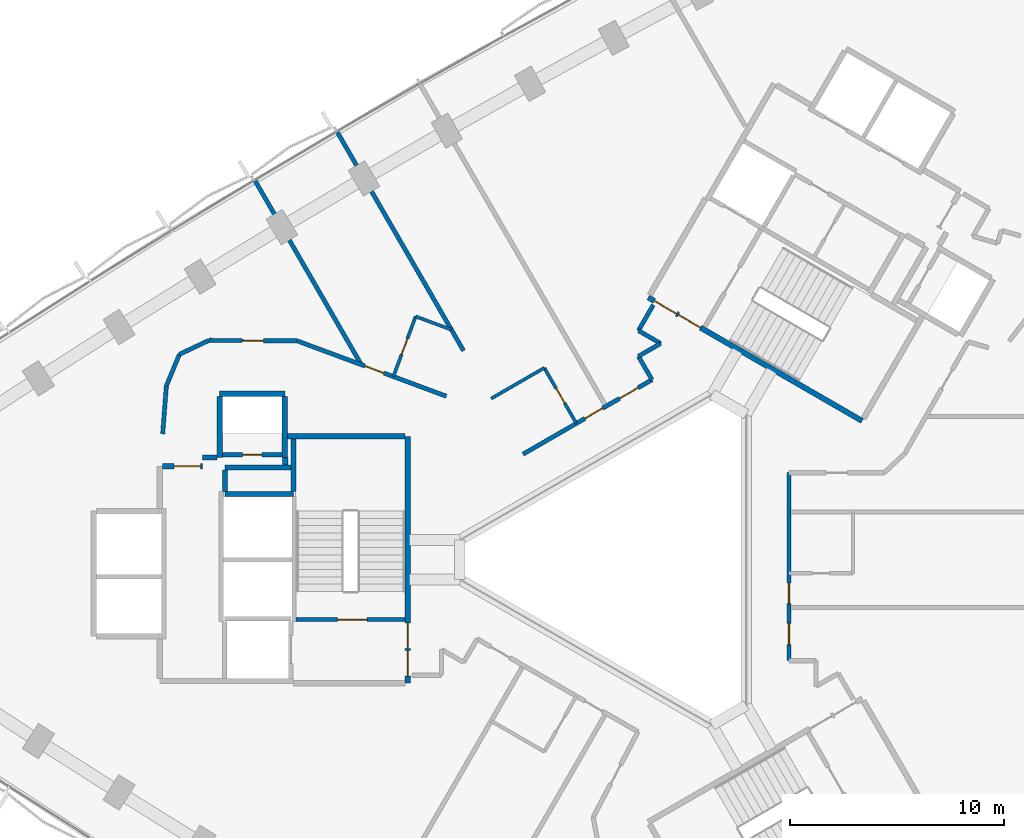
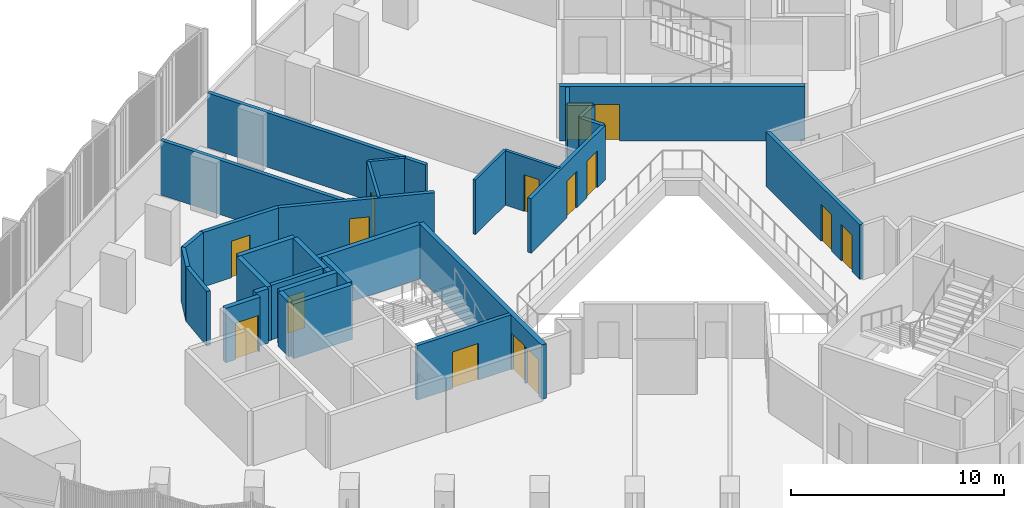
# One storey, part 11 of 16: 32 walls, 15 doors, 15 openings.
"""IFC4 building model written with IfcOpenShell, lengths in metres."""

from ifc_helpers import new_model, si_unit, direction, frame, frame_2d, origin, place, context, subcontext, project, spatial, rectangle, extrude, material, layer, layer_set, type_object, element, fill, save


model = new_model("IFC4")

# Units and contexts
model_context = context("Model", 3, precision=1e-05, world=origin(), true_north=direction((0.0, 1.0)))
body_context = subcontext(model_context, "Body", "Model", "MODEL_VIEW")
ifc_project = project(units=[si_unit("LENGTHUNIT", "METRE"), si_unit("AREAUNIT", "SQUARE_METRE"), si_unit("VOLUMEUNIT", "CUBIC_METRE"), si_unit("PLANEANGLEUNIT", "RADIAN"), si_unit("MASSUNIT", "GRAM", prefix="KILO")], contexts=[model_context])

# Site, building, storey
site_placement = place(None, origin())
site = spatial("IfcSite", under=ifc_project, at=site_placement, CompositionType="ELEMENT")
building_placement = place(site_placement, origin())
building = spatial("IfcBuilding", under=site, at=building_placement, Name="Tamra Quay Hotel Tower", CompositionType="ELEMENT")
storey_placement = place(building_placement, frame((0.0, 0.0, 56.60009765625)))
storey = spatial("IfcBuildingStorey", under=building, at=storey_placement, Name="L12", CompositionType="ELEMENT", Elevation=56.60009765625)

# Wall, opening, door
ifc_material_1 = material(Name="Concrete M70", Category="concrete")
ifc_layer_1 = layer(ifc_material_1, 0.199951171875)
ifc_layer_set_1 = layer_set([ifc_layer_1], Name="Concrete M70 core wall 200")
wall_type_1 = type_object("IfcWallType", Name="Concrete M70 core wall 200", PredefinedType="SHEAR", material=ifc_layer_set_1)
wall_1_placement = place(storey_placement, frame((-10.96337890625, -2.800048828125, 0.0), z_axis=(0.0, 0.0, 1.0), x_axis=(-1.0, 0.0, 0.0)))
wall_1 = element("IfcWall", 1, at=wall_1_placement, inside=storey, type_object=wall_type_1, Name="CW2", PredefinedType="SHEAR", context=body_context, shape_type="SweptSolid", body=[
    extrude(rectangle(XDim=5.097900390625, YDim=0.199951171875, at=frame_2d((2.548828125, 0.0))), origin(), (0.0, 0.0, 1.0), 3.125),
])
opening_1_placement = place(wall_1_placement, frame((1.77392578125, 0.0, 0.0)))
opening_1 = element("IfcOpeningElement", 2, at=opening_1_placement, cuts=wall_1, Name="Opening FD2", PredefinedType="OPENING", context=body_context, shape_type="SweptSolid", body=[
    extrude(rectangle(XDim=1.39990234375, YDim=2.10009765625, at=frame_2d((0.699951171875, 1.050048828125))), frame((0.0, 0.10986328125, 0.0), z_axis=(0.0, -1.0, 0.0), x_axis=(1.0, 0.0, 0.0)), (0.0, 0.0, 1.0), 0.219970703125),
])
ifc_material_2 = material(Name="Core door FD2 1400x2100 RH")
door_type_1 = type_object("IfcDoorType", Name="Core door FD2 1400x2100 RH", OperationType="NOTDEFINED", PredefinedType="DOOR", material=ifc_material_2)
door_1_placement = place(opening_1_placement, origin())
door_1 = element("IfcDoor", 3, at=door_1_placement, inside=storey, type_object=door_type_1, Name="FD2", OperationType="SINGLE_SWING_RIGHT", OverallHeight=2.10009765625, OverallWidth=1.39990234375, PredefinedType="DOOR", context=body_context, shape_type="SweptSolid", body=[
    extrude(rectangle(XDim=1.39990234375, YDim=2.10009765625, at=frame_2d((0.699951171875, 1.050048828125))), frame((0.0, 0.02490234375, 0.0), z_axis=(0.0, -1.0, 0.0), x_axis=(1.0, 0.0, 0.0)), (0.0, 0.0, 1.0), 0.050048828125),
])
fill(opening_1, door_1)

wall_2_placement = place(storey_placement, frame((-19.51123046875, 4.91015625, 0.0), z_axis=(0.0, 0.0, 1.0), x_axis=(1.0, 0.0, 0.0)))
wall_2 = element("IfcWall", 4, at=wall_2_placement, inside=storey, type_object=wall_type_1, Name="CW2", PredefinedType="SHEAR", context=body_context, shape_type="SweptSolid", body=[
    extrude(rectangle(XDim=2.7978515625, YDim=0.199951171875, at=frame_2d((1.39892578125, 0.0))), origin(), (0.0, 0.0, 1.0), 3.125),
])
opening_2_placement = place(wall_2_placement, frame((0.948974609375, 0.0, 0.0)))
opening_2 = element("IfcOpeningElement", 5, at=opening_2_placement, cuts=wall_2, Name="Opening D1", PredefinedType="OPENING", context=body_context, shape_type="SweptSolid", body=[
    extrude(rectangle(XDim=0.89990234375, YDim=2.10009765625, at=frame_2d((0.449951171875, 1.050048828125))), frame((0.0, 0.10986328125, 0.0), z_axis=(0.0, -1.0, 0.0), x_axis=(1.0, 0.0, 0.0)), (0.0, 0.0, 1.0), 0.219970703125),
])
ifc_material_3 = material(Name="Core door D1 900x2100 LH")
door_type_2 = type_object("IfcDoorType", Name="Core door D1 900x2100 LH", OperationType="NOTDEFINED", PredefinedType="DOOR", material=ifc_material_3)
door_2_placement = place(opening_2_placement, origin())
door_2 = element("IfcDoor", 6, at=door_2_placement, inside=storey, type_object=door_type_2, Name="D1", OperationType="SINGLE_SWING_LEFT", OverallHeight=2.10009765625, OverallWidth=0.89990234375, PredefinedType="DOOR", context=body_context, shape_type="SweptSolid", body=[
    extrude(rectangle(XDim=0.89990234375, YDim=2.10009765625, at=frame_2d((0.449951171875, 1.050048828125))), frame((0.0, 0.02490234375, 0.0), z_axis=(0.0, -1.0, 0.0), x_axis=(1.0, 0.0, 0.0)), (0.0, 0.0, 1.0), 0.050048828125),
])
fill(opening_2, door_2)

# Wall, openings, doors
ifc_layer_2 = layer(ifc_material_1, 0.25)
ifc_layer_set_2 = layer_set([ifc_layer_2], Name="Concrete M70 core wall 250")
wall_type_2 = type_object("IfcWallType", Name="Concrete M70 core wall 250", PredefinedType="SHEAR", material=ifc_layer_set_2)
wall_3_placement = place(storey_placement, frame((-10.83740234375, 5.77490234375, 0.0), z_axis=(0.0, 0.0, 1.0), x_axis=(0.0, -1.0, 0.0)))
wall_3 = element("IfcWall", 7, at=wall_3_placement, inside=storey, type_object=wall_type_2, Name="CW1", PredefinedType="SHEAR", context=body_context, shape_type="SweptSolid", body=[
    extrude(rectangle(XDim=11.5498046875, YDim=0.25, at=frame_2d((5.77490234375, 0.0))), origin(), (0.0, 0.0, 1.0), 3.125),
])
opening_3_placement = place(wall_3_placement, frame((10.02490234375, 0.0, 0.0)))
opening_3 = element("IfcOpeningElement", 8, at=opening_3_placement, cuts=wall_3, Name="Opening FD1", PredefinedType="OPENING", context=body_context, shape_type="SweptSolid", body=[
    extrude(rectangle(XDim=1.199951171875, YDim=2.10009765625, at=frame_2d((0.60009765625, 1.050048828125))), frame((0.0, 0.135009765625, 0.0), z_axis=(0.0, -1.0, 0.0), x_axis=(1.0, 0.0, 0.0)), (0.0, 0.0, 1.0), 0.27001953125),
])
opening_4_placement = place(wall_3_placement, frame((8.72509765625, 0.0, 0.0)))
opening_4 = element("IfcOpeningElement", 9, at=opening_4_placement, cuts=wall_3, Name="Opening FD1", PredefinedType="OPENING", context=body_context, shape_type="SweptSolid", body=[
    extrude(rectangle(XDim=1.199951171875, YDim=2.10009765625, at=frame_2d((0.60009765625, 1.050048828125))), frame((0.0, 0.135009765625, 0.0), z_axis=(0.0, -1.0, 0.0), x_axis=(1.0, 0.0, 0.0)), (0.0, 0.0, 1.0), 0.27001953125),
])
ifc_material_4 = material(Name="Core door FD1 1200x2100 LH")
door_type_3 = type_object("IfcDoorType", Name="Core door FD1 1200x2100 LH", OperationType="NOTDEFINED", PredefinedType="DOOR", material=ifc_material_4)
door_3_placement = place(opening_3_placement, origin())
door_3 = element("IfcDoor", 10, at=door_3_placement, inside=storey, type_object=door_type_3, Name="FD1", OperationType="SINGLE_SWING_LEFT", OverallHeight=2.10009765625, OverallWidth=1.199951171875, PredefinedType="DOOR", context=body_context, shape_type="SweptSolid", body=[
    extrude(rectangle(XDim=1.199951171875, YDim=2.10009765625, at=frame_2d((0.60009765625, 1.050048828125))), frame((0.0, 0.02490234375, 0.0), z_axis=(0.0, -1.0, 0.0), x_axis=(1.0, 0.0, 0.0)), (0.0, 0.0, 1.0), 0.050048828125),
])
fill(opening_3, door_3)
ifc_material_5 = material(Name="Core door FD1 1200x2100 RH")
door_type_4 = type_object("IfcDoorType", Name="Core door FD1 1200x2100 RH", OperationType="NOTDEFINED", PredefinedType="DOOR", material=ifc_material_5)
door_4_placement = place(opening_4_placement, origin())
door_4 = element("IfcDoor", 11, at=door_4_placement, inside=storey, type_object=door_type_4, Name="FD1", OperationType="SINGLE_SWING_RIGHT", OverallHeight=2.10009765625, OverallWidth=1.199951171875, PredefinedType="DOOR", context=body_context, shape_type="SweptSolid", body=[
    extrude(rectangle(XDim=1.199951171875, YDim=2.10009765625, at=frame_2d((0.60009765625, 1.050048828125))), frame((0.0, 0.02490234375, 0.0), z_axis=(0.0, -1.0, 0.0), x_axis=(1.0, 0.0, 0.0)), (0.0, 0.0, 1.0), 0.050048828125),
])
fill(opening_4, door_4)

# Walls
wall_4_placement = place(storey_placement, frame((-16.47216796875, 5.77490234375, 0.0), z_axis=(0.0, 0.0, 1.0), x_axis=(1.0, 0.0, 0.0)))
element("IfcWall", 12, at=wall_4_placement, inside=storey, type_object=wall_type_2, Name="CW1", PredefinedType="SHEAR", context=body_context, shape_type="SweptSolid", body=[
    extrude(rectangle(XDim=5.509521484375, YDim=0.25, at=frame_2d((2.7548828125, 0.0))), origin(), (0.0, 0.0, 1.0), 3.125),
])
wall_5_placement = place(storey_placement, frame((-19.38720703125, 3.074951171875, 0.0), z_axis=(0.0, 0.0, 1.0), x_axis=(1.0, 0.0, 0.0)))
element("IfcWall", 13, at=wall_5_placement, inside=storey, type_object=wall_type_2, Name="CW1", PredefinedType="SHEAR", context=body_context, shape_type="SweptSolid", body=[
    extrude(rectangle(XDim=3.199951171875, YDim=0.25, at=frame_2d((1.60009765625, 0.0))), origin(), (0.0, 0.0, 1.0), 3.125),
])
wall_6_placement = place(storey_placement, frame((-19.63720703125, 7.77490234375, 0.0), z_axis=(0.0, 0.0, 1.0), x_axis=(1.0, 0.0, 0.0)))
element("IfcWall", 14, at=wall_6_placement, inside=storey, type_object=wall_type_2, Name="CW1", PredefinedType="SHEAR", context=body_context, shape_type="SweptSolid", body=[
    extrude(rectangle(XDim=3.0498046875, YDim=0.25, at=frame_2d((1.52490234375, 0.0))), origin(), (0.0, 0.0, 1.0), 3.125),
])
for number, where, z_axis, x_axis, name in (
    (15, (-16.58740234375, 7.649658203125, 0.0), (0.0, 0.0, 1.0), (0.0, -1.0, 0.0), "CW1"),
    (16, (-19.63720703125, 4.784912109375, 0.0), (0.0, 0.0, 1.0), (0.0, 1.0, 0.0), "CW1"),
):
    element("IfcWall", number, at=place(storey_placement, frame(where, z_axis=z_axis, x_axis=x_axis)), inside=storey, type_object=wall_type_2, Name=name, PredefinedType="SHEAR", context=body_context, shape_type="SweptSolid", body=[
        extrude(rectangle(XDim=2.86474609375, YDim=0.25, at=frame_2d((1.432373046875, 0.0))), origin(), (0.0, 0.0, 1.0), 3.125),
    ])
wall_7_placement = place(storey_placement, frame((-16.30224609375, 4.31494140625, 0.0), z_axis=(0.0, 0.0, 1.0), x_axis=(-1.0, 0.0, 0.0)))
element("IfcWall", 17, at=wall_7_placement, inside=storey, type_object=wall_type_2, Name="CW1", PredefinedType="SHEAR", context=body_context, shape_type="SweptSolid", body=[
    extrude(rectangle(XDim=3.0849609375, YDim=0.25, at=frame_2d((1.54248046875, 0.0))), origin(), (0.0, 0.0, 1.0), 3.125),
])
wall_8_placement = place(storey_placement, frame((-16.187255859375, 3.200439453125, 0.0), z_axis=(0.0, 0.0, 1.0), x_axis=(0.0, 1.0, 0.0)))
element("IfcWall", 18, at=wall_8_placement, inside=storey, type_object=wall_type_2, Name="CW1", PredefinedType="SHEAR", context=body_context, shape_type="SweptSolid", body=[
    extrude(rectangle(XDim=2.44921875, YDim=0.25, at=frame_2d((1.224609375, 0.0))), origin(), (0.0, 0.0, 1.0), 3.125),
])

# Wall, opening, door
wall_9_placement = place(storey_placement, frame((-22.311767578125, 4.375, 0.0), z_axis=(0.0, 0.0, 1.0), x_axis=(1.0, 0.0, 0.0)))
wall_9 = element("IfcWall", 19, at=wall_9_placement, inside=storey, type_object=wall_type_2, Name="CW1", PredefinedType="SHEAR", context=body_context, shape_type="SweptSolid", body=[
    extrude(rectangle(XDim=1.864501953125, YDim=0.25, at=frame_2d((0.93212890625, 0.0))), origin(), (0.0, 0.0, 1.0), 3.125),
])
opening_5_placement = place(wall_9_placement, frame((0.53466796875, 0.0, 0.0)))
opening_5 = element("IfcOpeningElement", 20, at=opening_5_placement, cuts=wall_9, Name="Opening FD3", PredefinedType="OPENING", context=body_context, shape_type="SweptSolid", body=[
    extrude(rectangle(XDim=1.25, YDim=2.10009765625, at=frame_2d((0.625, 1.050048828125))), frame((0.0, 0.135009765625, 0.0), z_axis=(0.0, -1.0, 0.0), x_axis=(1.0, 0.0, 0.0)), (0.0, 0.0, 1.0), 0.27001953125),
])
ifc_material_6 = material(Name="Core door FD3 1250x2100 LH")
door_type_5 = type_object("IfcDoorType", Name="Core door FD3 1250x2100 LH", OperationType="NOTDEFINED", PredefinedType="DOOR", material=ifc_material_6)
door_5_placement = place(opening_5_placement, origin())
door_5 = element("IfcDoor", 21, at=door_5_placement, inside=storey, type_object=door_type_5, Name="FD3", OperationType="SINGLE_SWING_LEFT", OverallHeight=2.10009765625, OverallWidth=1.25, PredefinedType="DOOR", context=body_context, shape_type="SweptSolid", body=[
    extrude(rectangle(XDim=1.25, YDim=2.10009765625, at=frame_2d((0.625, 1.050048828125))), frame((0.0, 0.02490234375, 0.0), z_axis=(0.0, -1.0, 0.0), x_axis=(1.0, 0.0, 0.0)), (0.0, 0.0, 1.0), 0.050048828125),
])
fill(opening_5, door_5)

# Walls
wall_10_placement = place(storey_placement, frame((-19.38720703125, 4.189697265625, 0.0), z_axis=(0.0, 0.0, 1.0), x_axis=(0.0, -1.0, 0.0)))
element("IfcWall", 22, at=wall_10_placement, inside=storey, type_object=wall_type_2, Name="CW1", PredefinedType="SHEAR", context=body_context, shape_type="SweptSolid", body=[
    extrude(rectangle(XDim=0.9892578125, YDim=0.25, at=frame_2d((0.49462890625, 0.0))), origin(), (0.0, 0.0, 1.0), 3.125),
])
wall_11_placement = place(storey_placement, frame((-20.447265625, 4.784912109375, 0.0), z_axis=(0.0, 0.0, 1.0), x_axis=(1.0, 0.0, 0.0)))
element("IfcWall", 23, at=wall_11_placement, inside=storey, type_object=wall_type_2, Name="CW1", PredefinedType="SHEAR", context=body_context, shape_type="SweptSolid", body=[
    extrude(rectangle(XDim=0.6845703125, YDim=0.25, at=frame_2d((0.34228515625, 0.0))), origin(), (0.0, 0.0, 1.0), 3.125),
])
wall_12_placement = place(storey_placement, frame((-16.577392578125, 4.784912109375, 0.0), z_axis=(0.0, 0.0, 1.0), x_axis=(0.0, -1.0, 0.0)))
element("IfcWall", 24, at=wall_12_placement, inside=storey, type_object=wall_type_2, Name="CW1", PredefinedType="SHEAR", context=body_context, shape_type="SweptSolid", body=[
    extrude(rectangle(XDim=0.344482421875, YDim=0.25, at=frame_2d((0.17236328125, 0.0))), origin(), (0.0, 0.0, 1.0), 3.125),
])

# Wall, openings, doors
wall_13_placement = place(storey_placement, frame((10.419921875, 6.497802734375, 0.0), z_axis=(0.0, 0.0, 1.0), x_axis=(-0.866021906294, 0.500006057782, 0.0)))
wall_13 = element("IfcWall", 25, at=wall_13_placement, inside=storey, type_object=wall_type_2, Name="CW1", PredefinedType="SHEAR", context=body_context, shape_type="SweptSolid", body=[
    extrude(rectangle(XDim=11.550048828125, YDim=0.25, at=frame_2d((5.77490234375, 0.0))), origin(), (0.0, 0.0, 1.0), 3.125),
])
opening_6_placement = place(wall_13_placement, frame((10.02490234375, 0.0, 0.0)))
opening_6 = element("IfcOpeningElement", 26, at=opening_6_placement, cuts=wall_13, Name="Opening FD1", PredefinedType="OPENING", context=body_context, shape_type="SweptSolid", body=[
    extrude(rectangle(XDim=1.199951171875, YDim=2.10009765625, at=frame_2d((0.60009765625, 1.050048828125))), frame((0.0, 0.135009765625, 0.0), z_axis=(0.0, -1.0, 0.0), x_axis=(1.0, 0.0, 0.0)), (0.0, 0.0, 1.0), 0.27001953125),
])
opening_7_placement = place(wall_13_placement, frame((8.724853515625, 0.0, 0.0)))
opening_7 = element("IfcOpeningElement", 27, at=opening_7_placement, cuts=wall_13, Name="Opening FD1", PredefinedType="OPENING", context=body_context, shape_type="SweptSolid", body=[
    extrude(rectangle(XDim=1.199951171875, YDim=2.10009765625, at=frame_2d((0.60009765625, 1.050048828125))), frame((0.0, 0.135009765625, 0.0), z_axis=(0.0, -1.0, 0.0), x_axis=(1.0, 0.0, 0.0)), (0.0, 0.0, 1.0), 0.27001953125),
])
door_6_placement = place(opening_6_placement, origin())
door_6 = element("IfcDoor", 28, at=door_6_placement, inside=storey, type_object=door_type_3, Name="FD1", OperationType="SINGLE_SWING_LEFT", OverallHeight=2.10009765625, OverallWidth=1.199951171875, PredefinedType="DOOR", context=body_context, shape_type="SweptSolid", body=[
    extrude(rectangle(XDim=1.199951171875, YDim=2.10009765625, at=frame_2d((0.60009765625, 1.050048828125))), frame((0.0, 0.02490234375, 0.0), z_axis=(0.0, -1.0, 0.0), x_axis=(1.0, 0.0, 0.0)), (0.0, 0.0, 1.0), 0.050048828125),
])
fill(opening_6, door_6)
door_7_placement = place(opening_7_placement, origin())
door_7 = element("IfcDoor", 29, at=door_7_placement, inside=storey, type_object=door_type_4, Name="FD1", OperationType="SINGLE_SWING_RIGHT", OverallHeight=2.10009765625, OverallWidth=1.199951171875, PredefinedType="DOOR", context=body_context, shape_type="SweptSolid", body=[
    extrude(rectangle(XDim=1.199951171875, YDim=2.10009765625, at=frame_2d((0.60009765625, 1.050048828125))), frame((0.0, 0.02490234375, 0.0), z_axis=(0.0, -1.0, 0.0), x_axis=(1.0, 0.0, 0.0)), (0.0, 0.0, 1.0), 0.050048828125),
])
fill(opening_7, door_7)

# Walls
ifc_material_7 = material(Name="Partition corridor wall")
ifc_layer_3 = layer(ifc_material_7, 0.199951171875)
ifc_layer_set_3 = layer_set([ifc_layer_3], Name="Partition corridor wall")
wall_type_3 = type_object("IfcWallType", Name="Partition corridor wall", PredefinedType="PARTITIONING", material=ifc_layer_set_3)
wall_14_placement = place(storey_placement, frame((-22.305908203125, 5.89501953125, 0.0), z_axis=(0.0, 0.0, 1.0), x_axis=(0.076246699626, 0.997088983389, 0.0)))
element("IfcWall", 30, at=wall_14_placement, inside=storey, type_object=wall_type_3, Name="W-C", PredefinedType="PARTITIONING", context=body_context, shape_type="SweptSolid", body=[
    extrude(rectangle(XDim=2.241455078125, YDim=0.199951171875, at=frame_2d((1.12060546875, 0.0))), origin(), (0.0, 0.0, 1.0), 3.125),
])
wall_15_placement = place(storey_placement, frame((-22.135009765625, 8.134033203125, 0.0), z_axis=(0.0, 0.0, 1.0), x_axis=(0.383208453534, 0.923661886807, 0.0)))
element("IfcWall", 31, at=wall_15_placement, inside=storey, type_object=wall_type_3, Name="W-C", PredefinedType="PARTITIONING", context=body_context, shape_type="SweptSolid", body=[
    extrude(rectangle(XDim=1.602294921875, YDim=0.199951171875, at=frame_2d((0.80126953125, 0.0))), origin(), (0.0, 0.0, 1.0), 3.125),
])
wall_16_placement = place(storey_placement, frame((-21.52099609375, 9.614013671875, 0.0), z_axis=(0.0, 0.0, 1.0), x_axis=(0.904083527367, 0.427355795028, 0.0)))
element("IfcWall", 32, at=wall_16_placement, inside=storey, type_object=wall_type_3, Name="W-C", PredefinedType="PARTITIONING", context=body_context, shape_type="SweptSolid", body=[
    extrude(rectangle(XDim=1.52294921875, YDim=0.199951171875, at=frame_2d((0.761474609375, 0.0))), origin(), (0.0, 0.0, 1.0), 3.125),
])

# Wall, opening, door
wall_17_placement = place(storey_placement, frame((-20.14306640625, 10.26611328125, 0.0), z_axis=(0.0, 0.0, 1.0), x_axis=(0.999989297417, -0.004626559416, 0.0)))
wall_17 = element("IfcWall", 33, at=wall_17_placement, inside=storey, type_object=wall_type_3, Name="W-C", PredefinedType="PARTITIONING", context=body_context, shape_type="SweptSolid", body=[
    extrude(rectangle(XDim=4.115966796875, YDim=0.199951171875, at=frame_2d((2.05810546875, 0.0))), origin(), (0.0, 0.0, 1.0), 3.125),
])
opening_8_placement = place(wall_17_placement, frame((1.55810546875, 0.0, 0.0)))
opening_8 = element("IfcOpeningElement", 34, at=opening_8_placement, cuts=wall_17, Name="Opening L12-D011", PredefinedType="OPENING", context=body_context, shape_type="SweptSolid", body=[
    extrude(rectangle(XDim=1.0, YDim=2.10009765625, at=frame_2d((0.5, 1.050048828125))), frame((0.0, 0.10986328125, 0.0), z_axis=(0.0, -1.0, 0.0), x_axis=(1.0, 0.0, 0.0)), (0.0, 0.0, 1.0), 0.219970703125),
])
ifc_material_8 = material(Name="Door guest room 1000x2100")
door_type_6 = type_object("IfcDoorType", Name="Door guest room 1000x2100", OperationType="NOTDEFINED", PredefinedType="DOOR", material=ifc_material_8)
door_8_placement = place(opening_8_placement, origin())
door_8 = element("IfcDoor", 35, at=door_8_placement, inside=storey, type_object=door_type_6, Name="L12-D011", OperationType="SINGLE_SWING_LEFT", OverallHeight=2.10009765625, OverallWidth=1.0, PredefinedType="DOOR", context=body_context, shape_type="SweptSolid", body=[
    extrude(rectangle(XDim=1.0, YDim=2.10009765625, at=frame_2d((0.5, 1.050048828125))), frame((0.0, 0.02490234375, 0.0), z_axis=(0.0, -1.0, 0.0), x_axis=(1.0, 0.0, 0.0)), (0.0, 0.0, 1.0), 0.050048828125),
])
fill(opening_8, door_8)

wall_18_placement = place(storey_placement, frame((-16.02587890625, 10.24658203125, 0.0), z_axis=(0.0, 0.0, 1.0), x_axis=(0.937540909117, -0.347875040397, 0.0)))
wall_18 = element("IfcWall", 36, at=wall_18_placement, inside=storey, type_object=wall_type_3, Name="W-C", PredefinedType="PARTITIONING", context=body_context, shape_type="SweptSolid", body=[
    extrude(rectangle(XDim=7.458740234375, YDim=0.199951171875, at=frame_2d((3.7294921875, 0.0))), origin(), (0.0, 0.0, 1.0), 3.125),
])
opening_9_placement = place(wall_18_placement, frame((3.3955078125, 0.0, 0.0)))
opening_9 = element("IfcOpeningElement", 37, at=opening_9_placement, cuts=wall_18, Name="Opening L12-D009", PredefinedType="OPENING", context=body_context, shape_type="SweptSolid", body=[
    extrude(rectangle(XDim=0.949951171875, YDim=2.10009765625, at=frame_2d((0.47509765625, 1.050048828125))), frame((0.0, 0.10986328125, 0.0), z_axis=(0.0, -1.0, 0.0), x_axis=(1.0, 0.0, 0.0)), (0.0, 0.0, 1.0), 0.219970703125),
])
ifc_material_9 = material(Name="Door guest room 950x2100")
door_type_7 = type_object("IfcDoorType", Name="Door guest room 950x2100", OperationType="NOTDEFINED", PredefinedType="DOOR", material=ifc_material_9)
door_9_placement = place(opening_9_placement, origin())
door_9 = element("IfcDoor", 38, at=door_9_placement, inside=storey, type_object=door_type_7, Name="L12-D009", OperationType="SINGLE_SWING_LEFT", OverallHeight=2.10009765625, OverallWidth=0.949951171875, PredefinedType="DOOR", context=body_context, shape_type="SweptSolid", body=[
    extrude(rectangle(XDim=0.949951171875, YDim=2.10009765625, at=frame_2d((0.47509765625, 1.050048828125))), frame((0.0, 0.02490234375, 0.0), z_axis=(0.0, -1.0, 0.0), x_axis=(1.0, 0.0, 0.0)), (0.0, 0.0, 1.0), 0.050048828125),
])
fill(opening_9, door_9)

# Wall, openings, doors
wall_19_placement = place(storey_placement, frame((-5.4462890625, 4.939697265625, 0.0), z_axis=(0.0, 0.0, 1.0), x_axis=(0.866096332545, 0.499877127655, 0.0)))
wall_19 = element("IfcWall", 39, at=wall_19_placement, inside=storey, type_object=wall_type_3, Name="W-C", PredefinedType="PARTITIONING", context=body_context, shape_type="SweptSolid", body=[
    extrude(rectangle(XDim=6.968505859375, YDim=0.199951171875, at=frame_2d((3.484375, 0.0))), origin(), (0.0, 0.0, 1.0), 3.125),
])
opening_10_placement = place(wall_19_placement, frame((5.21923828125, 0.0, 0.0)))
opening_10 = element("IfcOpeningElement", 40, at=opening_10_placement, cuts=wall_19, Name="Opening L12-D006", PredefinedType="OPENING", context=body_context, shape_type="SweptSolid", body=[
    extrude(rectangle(XDim=1.0, YDim=2.10009765625, at=frame_2d((0.5, 1.050048828125))), frame((0.0, 0.10986328125, 0.0), z_axis=(0.0, -1.0, 0.0), x_axis=(1.0, 0.0, 0.0)), (0.0, 0.0, 1.0), 0.219970703125),
])
opening_11_placement = place(wall_19_placement, frame((3.343994140625, 0.0, 0.0)))
opening_11 = element("IfcOpeningElement", 41, at=opening_11_placement, cuts=wall_19, Name="Opening L12-D007", PredefinedType="OPENING", context=body_context, shape_type="SweptSolid", body=[
    extrude(rectangle(XDim=0.949951171875, YDim=2.10009765625, at=frame_2d((0.47509765625, 1.050048828125))), frame((0.0, 0.10986328125, 0.0), z_axis=(0.0, -1.0, 0.0), x_axis=(1.0, 0.0, 0.0)), (0.0, 0.0, 1.0), 0.219970703125),
])
door_10_placement = place(opening_10_placement, origin())
door_10 = element("IfcDoor", 42, at=door_10_placement, inside=storey, type_object=door_type_6, Name="L12-D006", OperationType="SINGLE_SWING_LEFT", OverallHeight=2.10009765625, OverallWidth=1.0, PredefinedType="DOOR", context=body_context, shape_type="SweptSolid", body=[
    extrude(rectangle(XDim=1.0, YDim=2.10009765625, at=frame_2d((0.5, 1.050048828125))), frame((0.0, 0.02490234375, 0.0), z_axis=(0.0, -1.0, 0.0), x_axis=(1.0, 0.0, 0.0)), (0.0, 0.0, 1.0), 0.050048828125),
])
fill(opening_10, door_10)
door_11_placement = place(opening_11_placement, origin())
door_11 = element("IfcDoor", 43, at=door_11_placement, inside=storey, type_object=door_type_7, Name="L12-D007", OperationType="SINGLE_SWING_LEFT", OverallHeight=2.10009765625, OverallWidth=0.949951171875, PredefinedType="DOOR", context=body_context, shape_type="SweptSolid", body=[
    extrude(rectangle(XDim=0.949951171875, YDim=2.10009765625, at=frame_2d((0.47509765625, 1.050048828125))), frame((0.0, 0.02490234375, 0.0), z_axis=(0.0, -1.0, 0.0), x_axis=(1.0, 0.0, 0.0)), (0.0, 0.0, 1.0), 0.050048828125),
])
fill(opening_11, door_11)

# Walls
wall_20_placement = place(storey_placement, frame((-0.044921875, 9.52197265625, 0.0), z_axis=(0.0, 0.0, 1.0), x_axis=(0.86625675314, 0.499599076899, 0.0)))
element("IfcWall", 44, at=wall_20_placement, inside=storey, type_object=wall_type_3, Name="W-C", PredefinedType="PARTITIONING", context=body_context, shape_type="SweptSolid", body=[
    extrude(rectangle(XDim=1.19921875, YDim=0.199951171875, at=frame_2d((0.599609375, 0.0))), origin(), (0.0, 0.0, 1.0), 3.125),
])
wall_21_placement = place(storey_placement, frame((-0.044921875, 10.721923828125, 0.0), z_axis=(0.0, 0.0, 1.0), x_axis=(0.500107785535, 0.865963164833, 0.0)))
element("IfcWall", 45, at=wall_21_placement, inside=storey, type_object=wall_type_3, Name="W-C", PredefinedType="PARTITIONING", context=body_context, shape_type="SweptSolid", body=[
    extrude(rectangle(XDim=1.389404296875, YDim=0.199951171875, at=frame_2d((0.69482421875, 0.0))), origin(), (0.0, 0.0, 1.0), 3.125),
])
wall_22_placement = place(storey_placement, frame((-0.044921875, 9.52099609375, 0.0), z_axis=(0.0, 0.0, 1.0), x_axis=(0.500094716449, -0.865970712311, 0.0)))
element("IfcWall", 46, at=wall_22_placement, inside=storey, type_object=wall_type_3, Name="W-C", PredefinedType="PARTITIONING", context=body_context, shape_type="SweptSolid", body=[
    extrude(rectangle(XDim=1.267822265625, YDim=0.199951171875, at=frame_2d((0.6337890625, 0.0))), origin(), (0.0, 0.0, 1.0), 3.125),
])
wall_23_placement = place(storey_placement, frame((-0.044921875, 10.720947265625, 0.0), z_axis=(0.0, 0.0, 1.0), x_axis=(0.865992388649, -0.500057179532, 0.0)))
element("IfcWall", 47, at=wall_23_placement, inside=storey, type_object=wall_type_3, Name="W-C", PredefinedType="PARTITIONING", context=body_context, shape_type="SweptSolid", body=[
    extrude(rectangle(XDim=1.199462890625, YDim=0.199951171875, at=frame_2d((0.599609375, 0.0))), origin(), (0.0, 0.0, 1.0), 3.125),
])

# Wall, openings, doors
wall_24_placement = place(storey_placement, frame((7.0, -4.720947265625, 0.0), z_axis=(0.0, 0.0, 1.0), x_axis=(0.0, 1.0, 0.0)))
wall_24 = element("IfcWall", 48, at=wall_24_placement, inside=storey, type_object=wall_type_3, Name="W-C", PredefinedType="PARTITIONING", context=body_context, shape_type="SweptSolid", body=[
    extrude(rectangle(XDim=8.798828125, YDim=0.199951171875, at=frame_2d((4.3994140625, 0.0))), origin(), (0.0, 0.0, 1.0), 3.125),
])
opening_12_placement = place(wall_24_placement, frame((0.7490234375, 0.0, 0.0)))
opening_12 = element("IfcOpeningElement", 49, at=opening_12_placement, cuts=wall_24, Name="Opening L12-D001", PredefinedType="OPENING", context=body_context, shape_type="SweptSolid", body=[
    extrude(rectangle(XDim=1.0, YDim=2.10009765625, at=frame_2d((0.5, 1.050048828125))), frame((0.0, 0.10986328125, 0.0), z_axis=(0.0, -1.0, 0.0), x_axis=(1.0, 0.0, 0.0)), (0.0, 0.0, 1.0), 0.219970703125),
])
opening_13_placement = place(wall_24_placement, frame((2.674072265625, 0.0, 0.0)))
opening_13 = element("IfcOpeningElement", 50, at=opening_13_placement, cuts=wall_24, Name="Opening L12-D002", PredefinedType="OPENING", context=body_context, shape_type="SweptSolid", body=[
    extrude(rectangle(XDim=0.949951171875, YDim=2.10009765625, at=frame_2d((0.47509765625, 1.050048828125))), frame((0.0, 0.10986328125, 0.0), z_axis=(0.0, -1.0, 0.0), x_axis=(1.0, 0.0, 0.0)), (0.0, 0.0, 1.0), 0.219970703125),
])
door_12_placement = place(opening_12_placement, frame((1.0, 0.0, 0.0), z_axis=(0.0, 0.0, 1.0), x_axis=(-1.0, 0.0, 0.0)))
door_12 = element("IfcDoor", 51, at=door_12_placement, inside=storey, type_object=door_type_6, Name="L12-D001", OperationType="SINGLE_SWING_LEFT", OverallHeight=2.10009765625, OverallWidth=1.0, PredefinedType="DOOR", context=body_context, shape_type="SweptSolid", body=[
    extrude(rectangle(XDim=1.0, YDim=2.10009765625, at=frame_2d((0.5, 1.050048828125))), frame((0.0, 0.02490234375, 0.0), z_axis=(0.0, -1.0, 0.0), x_axis=(1.0, 0.0, 0.0)), (0.0, 0.0, 1.0), 0.050048828125),
])
fill(opening_12, door_12)
door_13_placement = place(opening_13_placement, frame((0.949951171875, 0.0, 0.0), z_axis=(0.0, 0.0, 1.0), x_axis=(-1.0, 0.0, 0.0)))
door_13 = element("IfcDoor", 52, at=door_13_placement, inside=storey, type_object=door_type_7, Name="L12-D002", OperationType="SINGLE_SWING_LEFT", OverallHeight=2.10009765625, OverallWidth=0.949951171875, PredefinedType="DOOR", context=body_context, shape_type="SweptSolid", body=[
    extrude(rectangle(XDim=0.949951171875, YDim=2.10009765625, at=frame_2d((0.47509765625, 1.050048828125))), frame((0.0, 0.02490234375, 0.0), z_axis=(0.0, -1.0, 0.0), x_axis=(1.0, 0.0, 0.0)), (0.0, 0.0, 1.0), 0.050048828125),
])
fill(opening_13, door_13)

# Wall, opening, door
ifc_material_10 = material(Name="Partition en-suite wall")
ifc_layer_4 = layer(ifc_material_10, 0.14990234375)
ifc_layer_set_4 = layer_set([ifc_layer_4], Name="Partition en-suite wall")
wall_type_4 = type_object("IfcWallType", Name="Partition en-suite wall", PredefinedType="PARTITIONING", material=ifc_layer_set_4)
wall_25_placement = place(storey_placement, frame((-11.512939453125, 8.572021484375, 0.0), z_axis=(0.0, 0.0, 1.0), x_axis=(0.347929104424, 0.937520846859, 0.0)))
wall_25 = element("IfcWall", 53, at=wall_25_placement, inside=storey, type_object=wall_type_4, Name="W-E", PredefinedType="PARTITIONING", context=body_context, shape_type="SweptSolid", body=[
    extrude(rectangle(XDim=3.00048828125, YDim=0.14990234375, at=frame_2d((1.500244140625, 0.0))), origin(), (0.0, 0.0, 1.0), 3.125),
])
opening_14_placement = place(wall_25_placement, frame((1.100341796875, 0.0, 0.0)))
opening_14 = element("IfcOpeningElement", 54, at=opening_14_placement, cuts=wall_25, Name="Opening L12-D010", PredefinedType="OPENING", context=body_context, shape_type="SweptSolid", body=[
    extrude(rectangle(XDim=0.800048828125, YDim=2.10009765625, at=frame_2d((0.39990234375, 1.050048828125))), frame((0.0, 0.0849609375, 0.0), z_axis=(0.0, -1.0, 0.0), x_axis=(1.0, 0.0, 0.0)), (0.0, 0.0, 1.0), 0.169921875),
])
ifc_material_11 = material(Name="Door en-suite 800x2100")
door_type_8 = type_object("IfcDoorType", Name="Door en-suite 800x2100", OperationType="NOTDEFINED", PredefinedType="DOOR", material=ifc_material_11)
door_14_placement = place(opening_14_placement, origin())
door_14 = element("IfcDoor", 55, at=door_14_placement, inside=storey, type_object=door_type_8, Name="L12-D010", OperationType="SINGLE_SWING_LEFT", OverallHeight=2.10009765625, OverallWidth=0.800048828125, PredefinedType="DOOR", context=body_context, shape_type="SweptSolid", body=[
    extrude(rectangle(XDim=0.800048828125, YDim=2.10009765625, at=frame_2d((0.39990234375, 1.050048828125))), frame((0.0, 0.02490234375, 0.0), z_axis=(0.0, -1.0, 0.0), x_axis=(1.0, 0.0, 0.0)), (0.0, 0.0, 1.0), 0.050048828125),
])
fill(opening_14, door_14)

# Walls
wall_26_placement = place(storey_placement, frame((-10.468994140625, 11.385009765625, 0.0), z_axis=(0.0, 0.0, 1.0), x_axis=(0.937487768635, -0.348018223173, 0.0)))
element("IfcWall", 56, at=wall_26_placement, inside=storey, type_object=wall_type_4, Name="W-E", PredefinedType="PARTITIONING", context=body_context, shape_type="SweptSolid", body=[
    extrude(rectangle(XDim=1.78466796875, YDim=0.14990234375, at=frame_2d((0.892333984375, 0.0))), origin(), (0.0, 0.0, 1.0), 3.125),
])
wall_27_placement = place(storey_placement, frame((-6.93603515625, 7.54296875, 0.0), z_axis=(0.0, 0.0, 1.0), x_axis=(0.866153027342, 0.499778884334, 0.0)))
element("IfcWall", 57, at=wall_27_placement, inside=storey, type_object=wall_type_4, Name="W-E", PredefinedType="PARTITIONING", context=body_context, shape_type="SweptSolid", body=[
    extrude(rectangle(XDim=2.871337890625, YDim=0.14990234375, at=frame_2d((1.435546875, 0.0))), origin(), (0.0, 0.0, 1.0), 3.125),
])

# Wall, opening, door
wall_28_placement = place(storey_placement, frame((-4.448974609375, 8.97802734375, 0.0), z_axis=(0.0, 0.0, 1.0), x_axis=(0.499745940409, -0.866172035478, 0.0)))
wall_28 = element("IfcWall", 58, at=wall_28_placement, inside=storey, type_object=wall_type_4, Name="W-E", PredefinedType="PARTITIONING", context=body_context, shape_type="SweptSolid", body=[
    extrude(rectangle(XDim=2.99951171875, YDim=0.14990234375, at=frame_2d((1.499755859375, 0.0))), origin(), (0.0, 0.0, 1.0), 3.125),
])
opening_15_placement = place(wall_28_placement, frame((1.099609375, 0.0, 0.0)))
opening_15 = element("IfcOpeningElement", 59, at=opening_15_placement, cuts=wall_28, Name="Opening L12-D008", PredefinedType="OPENING", context=body_context, shape_type="SweptSolid", body=[
    extrude(rectangle(XDim=0.800048828125, YDim=2.10009765625, at=frame_2d((0.39990234375, 1.050048828125))), frame((0.0, 0.0849609375, 0.0), z_axis=(0.0, -1.0, 0.0), x_axis=(1.0, 0.0, 0.0)), (0.0, 0.0, 1.0), 0.169921875),
])
door_15_placement = place(opening_15_placement, frame((0.800048828125, 0.0, 0.0), z_axis=(0.0, 0.0, 1.0), x_axis=(-1.0, 0.0, 0.0)))
door_15 = element("IfcDoor", 60, at=door_15_placement, inside=storey, type_object=door_type_8, Name="L12-D008", OperationType="SINGLE_SWING_LEFT", OverallHeight=2.10009765625, OverallWidth=0.800048828125, PredefinedType="DOOR", context=body_context, shape_type="SweptSolid", body=[
    extrude(rectangle(XDim=0.800048828125, YDim=2.10009765625, at=frame_2d((0.39990234375, 1.050048828125))), frame((0.0, 0.02490234375, 0.0), z_axis=(0.0, -1.0, 0.0), x_axis=(1.0, 0.0, 0.0)), (0.0, 0.0, 1.0), 0.050048828125),
])
fill(opening_15, door_15)

# Walls
ifc_material_12 = material(Name="Partition party wall")
ifc_layer_5 = layer(ifc_material_12, 0.199951171875)
ifc_layer_set_5 = layer_set([ifc_layer_5], Name="Partition party wall")
wall_type_5 = type_object("IfcWallType", Name="Partition party wall", PredefinedType="PARTITIONING", material=ifc_layer_set_5)
wall_29_placement = place(storey_placement, frame((-17.99560546875, 17.758056640625, 0.0), z_axis=(0.0, 0.0, 1.0), x_axis=(0.500046945013, -0.865998298372, 0.0)))
element("IfcWall", 61, at=wall_29_placement, inside=storey, type_object=wall_type_5, Name="W-P", PredefinedType="PARTITIONING", context=body_context, shape_type="SweptSolid", body=[
    extrude(rectangle(XDim=9.96435546875, YDim=0.199951171875, at=frame_2d((4.982177734375, 0.0))), origin(), (0.0, 0.0, 1.0), 3.125),
])
wall_30_placement = place(storey_placement, frame((-14.148681640625, 20.034912109375, 0.0), z_axis=(0.0, 0.0, 1.0), x_axis=(0.500022967158, -0.866012143284, 0.0)))
element("IfcWall", 62, at=wall_30_placement, inside=storey, type_object=wall_type_5, Name="W-P", PredefinedType="PARTITIONING", context=body_context, shape_type="SweptSolid", body=[
    extrude(rectangle(XDim=11.837890625, YDim=0.199951171875, at=frame_2d((5.9189453125, 0.0))), origin(), (0.0, 0.0, 1.0), 3.125),
])

save(model, "model.ifc")
